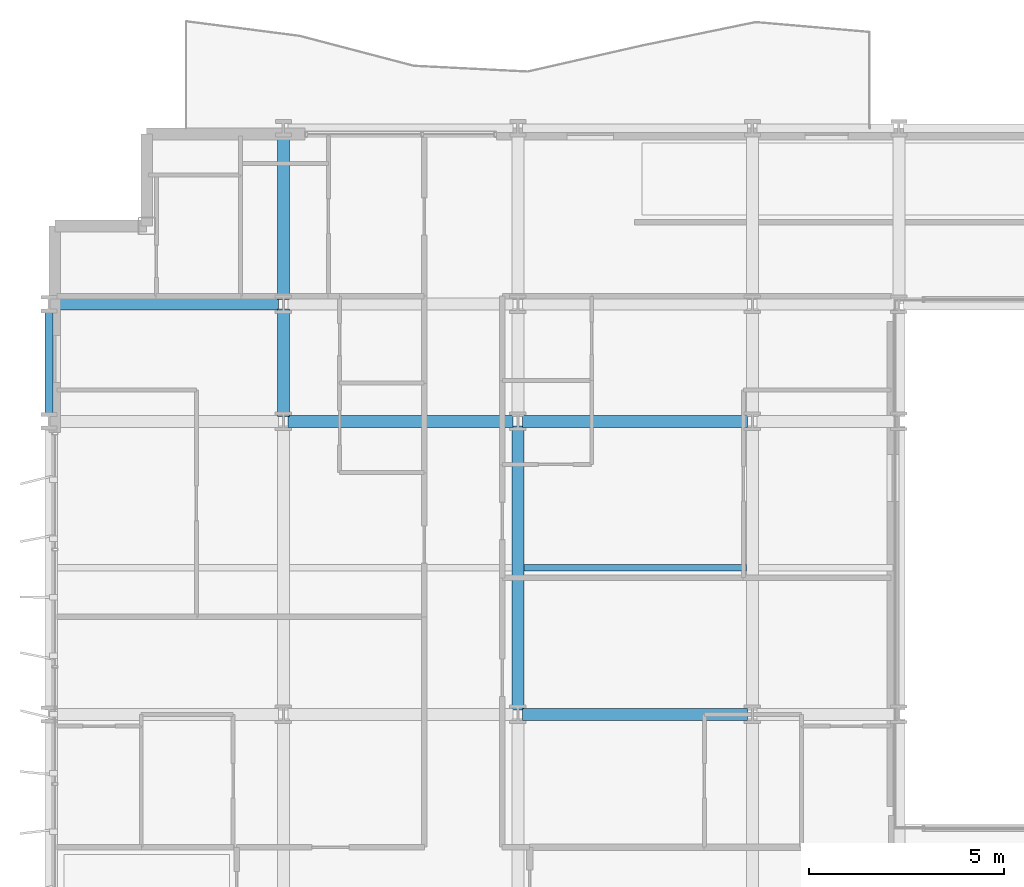
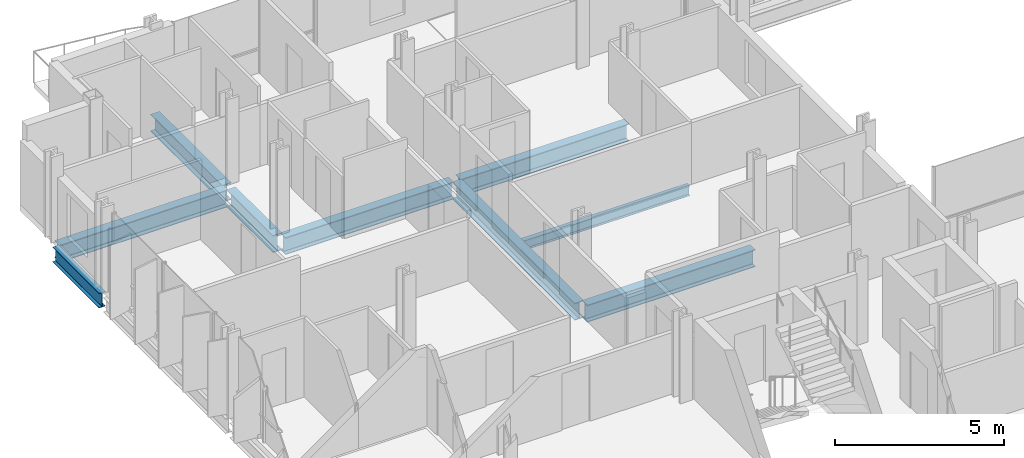
# One storey, part 6 of 38: 9 beams.
"""IFC4 building model written with IfcOpenShell, lengths in metres."""

import ifcopenshell
import ifcopenshell.guid

model = None  # the IFC model being written
_history = None  # IfcOwnerHistory: only IFC2X3 demands one
_inside = {}  # id of a spatial element -> (the spatial element, [elements in it])
_under = {}  # id of a project, library or spatial element -> (it, [spatial elements below it])
_declared = {}  # id of a project -> (the project, [libraries it declares])
_typed = {}  # id of a type object -> (the type object, [elements of that type])
_made_of = {}  # id of a material, layer set ... -> (it, [elements and type objects made of it])


def new_model(schema):
    """Start an empty IFC model of exactly this schema.

    Asked for "IFC4X3", IfcOpenShell would pick the latest addendum, in which some entities
    have other attributes; the version numbers below select the first issue.
    IFC2X3 requires an IfcOwnerHistory on every rooted entity: one is made here for all.
    """
    global model, _history
    if schema == "IFC4X3":
        model = ifcopenshell.file(schema_version=(4, 3, 0, 0))
    else:
        model = ifcopenshell.file(schema=schema)
    _inside.clear()
    _under.clear()
    _declared.clear()
    _typed.clear()
    _made_of.clear()
    _history = None
    if model.schema == "IFC2X3":
        org = make("IfcOrganization", Name="unknown")
        user = make(
            "IfcPersonAndOrganization",
            ThePerson=make("IfcPerson", FamilyName="unknown"),
            TheOrganization=org,
        )
        app = make(
            "IfcApplication",
            ApplicationDeveloper=org,
            Version="unknown",
            ApplicationFullName="unknown",
            ApplicationIdentifier="unknown",
        )
        _history = make(
            "IfcOwnerHistory",
            OwningUser=user,
            OwningApplication=app,
            ChangeAction="ADDED",
            CreationDate=0,
        )
    return model


def make(cls, **values):
    """One entity of the class cls with the attributes given. An attribute that is None is left unset."""
    return model.create_entity(
        cls, **{name: value for name, value in values.items() if value is not None}
    )


def rooted(cls, **values):
    """An entity with a GlobalId (a new one), such as an element, a storey or a relation."""
    return make(cls, GlobalId=ifcopenshell.guid.new(), OwnerHistory=_history, **values)


def si_unit(unit_type, name, prefix=None):
    """IfcSIUnit, for example si_unit("LENGTHUNIT", "METRE", prefix="MILLI")."""
    return make("IfcSIUnit", UnitType=unit_type, Prefix=prefix, Name=name)


def assignment(units):
    """IfcUnitAssignment: the units of a project."""
    return None if units is None else make("IfcUnitAssignment", Units=units)


def point(xyz):
    """IfcCartesianPoint."""
    return None if xyz is None else make("IfcCartesianPoint", Coordinates=xyz)


def direction(xyz):
    """IfcDirection."""
    return None if xyz is None else make("IfcDirection", DirectionRatios=xyz)


def frame(location, z_axis=None, x_axis=None):
    """IfcAxis2Placement3D, a coordinate frame: its origin and axes. An axis left out is left unset."""
    return make(
        "IfcAxis2Placement3D",
        Location=point(location),
        Axis=direction(z_axis),
        RefDirection=direction(x_axis),
    )


def frame_2d(location, x_axis=None):
    """IfcAxis2Placement2D, a coordinate frame in the plane: its origin and x axis."""
    return make(
        "IfcAxis2Placement2D", Location=point(location), RefDirection=direction(x_axis)
    )


def origin():
    """The frame at (0, 0, 0) with its axes left unset."""
    return frame((0.0, 0.0, 0.0))


def origin_2d():
    """The frame at (0, 0) in the plane with its x axis left unset."""
    return frame_2d((0.0, 0.0))


def place(relative_to, where):
    """IfcLocalPlacement: puts the frame where relative to a parent placement (None: the world)."""
    return make(
        "IfcLocalPlacement", PlacementRelTo=relative_to, RelativePlacement=where
    )


def context(
    kind, dimensions, precision=None, world=None, true_north=None, identifier=None
):
    """IfcGeometricRepresentationContext, for example the 3D "Model" context."""
    return make(
        "IfcGeometricRepresentationContext",
        ContextIdentifier=identifier,
        ContextType=kind,
        CoordinateSpaceDimension=dimensions,
        Precision=precision,
        WorldCoordinateSystem=world,
        TrueNorth=true_north,
    )


def subcontext(parent, identifier, kind, view, scale=None):
    """IfcGeometricRepresentationSubContext, for example "Body" below "Model"."""
    return make(
        "IfcGeometricRepresentationSubContext",
        ContextIdentifier=identifier,
        ContextType=kind,
        ParentContext=parent,
        TargetScale=scale,
        TargetView=view,
    )


def project(units=None, contexts=None):
    """IfcProject with its units and contexts."""
    return rooted(
        "IfcProject",
        Name="project",
        RepresentationContexts=contexts,
        UnitsInContext=assignment(units),
    )


def spatial(cls, under=None, at=None, **own):
    """A site, building, storey or space (cls), placed at a placement, below another one or the project."""
    s = rooted(cls, ObjectPlacement=at, **own)
    if under is not None:
        _under.setdefault(under.id(), (under, []))[1].append(s)
    return s


def profile(cls, at=None, kind="AREA", **sizes):
    """A parametric profile (cls). Its sizes go by their IFC names, for example OverallWidth=200.0."""
    return make(cls, ProfileType=kind, Position=at, **sizes)


def i_section(**sizes):
    """IfcIShapeProfileDef."""
    return profile("IfcIShapeProfileDef", **sizes)


def extrude(swept, where, along, depth):
    """IfcExtrudedAreaSolid: the profile swept, set in the frame where, extruded along a direction by depth."""
    return make(
        "IfcExtrudedAreaSolid",
        SweptArea=swept,
        Position=where,
        ExtrudedDirection=direction(along),
        Depth=depth,
    )


def shape(context_of_items, identifier, shape_type, items):
    """IfcShapeRepresentation: the items that make up one representation, for example the "Body"."""
    return make(
        "IfcShapeRepresentation",
        ContextOfItems=context_of_items,
        RepresentationIdentifier=identifier,
        RepresentationType=shape_type,
        Items=items,
    )


def material(Name=None, Category=None):
    """IfcMaterial."""
    return make("IfcMaterial", Name=Name, Category=Category)


def material_profile(
    of_material, cross_section, Name=None, Category=None, Priority=None
):
    """IfcMaterialProfile: a cross section and its material."""
    return make(
        "IfcMaterialProfile",
        Name=Name,
        Material=of_material,
        Profile=cross_section,
        Priority=Priority,
        Category=Category,
    )


def profile_set(profiles, Name=None, composite=None):
    """IfcMaterialProfileSet."""
    return make(
        "IfcMaterialProfileSet",
        Name=Name,
        MaterialProfiles=profiles,
        CompositeProfile=composite,
    )


def made_of(thing, what):
    """Note that an element or type object is made of a material, layer set ...; save() writes the relation."""
    if what is not None:
        _made_of.setdefault(what.id(), (what, []))[1].append(thing)
    return thing


def type_object(cls, material=None, **own):
    """A type object (cls), such as IfcWallType, which elements share."""
    return made_of(rooted(cls, **own), material)


def element(
    cls,
    number,
    at=None,
    inside=None,
    cuts=None,
    type_object=None,
    material=None,
    context=None,
    identifier="Body",
    shape_type=None,
    held_by="IfcProductDefinitionShape",
    body=None,
    shapes=None,
    **own,
):
    """One element of the class cls, such as IfcWall. Its Tag is "e" and its number.

    at: its placement. inside: the storey or other place that contains it. cuts: it is an
    opening in that element (IfcRelVoidsElement). A single representation is given by context,
    identifier, shape_type and body (its items); several are given by shapes. held_by: the class
    of the entity that holds the representations. save() writes the other relations.
    """
    e = rooted(cls, Tag="e%d" % number, ObjectPlacement=at, **own)
    if body is not None:
        shapes = [shape(context, identifier, shape_type, body)]
    if shapes is not None:
        e.Representation = make(held_by, Representations=shapes)
    if inside is not None:
        _inside.setdefault(inside.id(), (inside, []))[1].append(e)
    if cuts is not None:
        rooted(
            "IfcRelVoidsElement", RelatingBuildingElement=cuts, RelatedOpeningElement=e
        )
    if type_object is not None:
        _typed.setdefault(type_object.id(), (type_object, []))[1].append(e)
    return made_of(e, material)


def aggregate(whole, parts):
    """IfcRelAggregates: a whole, such as a stair, and the parts it consists of."""
    return rooted("IfcRelAggregates", RelatingObject=whole, RelatedObjects=parts)


def save(model, path):
    """Write the relations noted so far, then the file.

    IfcRelAggregates (storeys below a building ...), IfcRelContainedInSpatialStructure (elements
    in a storey), IfcRelDefinesByType, IfcRelAssociatesMaterial and IfcRelDeclares: one each for
    every whole, place, type object, material and project.
    """
    for whole, parts in _under.values():
        aggregate(whole, parts)
    for where, things in _inside.values():
        rooted(
            "IfcRelContainedInSpatialStructure",
            RelatedElements=things,
            RelatingStructure=where,
        )
    for kind, things in _typed.values():
        rooted("IfcRelDefinesByType", RelatedObjects=things, RelatingType=kind)
    for what, things in _made_of.values():
        rooted("IfcRelAssociatesMaterial", RelatedObjects=things, RelatingMaterial=what)
    for by, libraries in _declared.values():
        rooted("IfcRelDeclares", RelatingContext=by, RelatedDefinitions=libraries)
    model.write(path)


model = new_model("IFC4")

# Units and contexts
model_context = context("Model", 3, precision=1e-05, world=origin(), true_north=direction((0.0, 1.0)))
body_context = subcontext(model_context, "Body", "Model", "MODEL_VIEW")
ifc_project = project(units=[si_unit("LENGTHUNIT", "METRE"), si_unit("AREAUNIT", "SQUARE_METRE"), si_unit("VOLUMEUNIT", "CUBIC_METRE"), si_unit("PLANEANGLEUNIT", "RADIAN"), si_unit("MASSUNIT", "GRAM", prefix="KILO")], contexts=[model_context])

# Site, building, storey
site_placement = place(None, origin())
site = spatial("IfcSite", under=ifc_project, at=site_placement, CompositionType="ELEMENT")
building_placement = place(site_placement, origin())
building = spatial("IfcBuilding", under=site, at=building_placement, Name="Brevholm Reach", CompositionType="ELEMENT")
storey_placement = place(building_placement, frame((0.0, 0.0, 52.800048828125)))
storey = spatial("IfcBuildingStorey", under=building, at=storey_placement, Name="L14", CompositionType="ELEMENT", Elevation=52.800048828125)

# Beams
ifc_material_1 = material(Name="Structural Steel S355J2", Category="steel")
ifc_material_profile_1 = material_profile(ifc_material_1, i_section(OverallWidth=0.17138671875, OverallDepth=0.35498046875, WebThickness=0.00732421875, FlangeThickness=0.011474609375, FilletRadius=0.01025390625, at=origin_2d()), Name="UKB 356x171x51")
ifc_profile_set_1 = profile_set([ifc_material_profile_1], Name="Structural Steel S355J2")
beam_type_1 = type_object("IfcBeamType", Name="BM-B356", PredefinedType="BEAM", material=ifc_profile_set_1)
beam_1_placement = place(storey_placement, frame((12.153564453125, 19.75, -0.407470703125), z_axis=(1.0, 0.0, 0.0), x_axis=(0.0, 1.0, 0.0)))
element("IfcBeam", 1, at=beam_1_placement, inside=storey, type_object=beam_type_1, Name="L14 Composite Secondary Floor Beam", PredefinedType="BEAM", context=body_context, shape_type="SweptSolid", body=[
    extrude(i_section(OverallWidth=0.17138671875, OverallDepth=0.35498046875, WebThickness=0.00732421875, FlangeThickness=0.011474609375, FilletRadius=0.01025390625, at=origin_2d()), origin(), (0.0, 0.0, 1.0), 5.69287109375),
])
ifc_material_2 = material(Name="Structural Steel S355J2", Category="steel")
ifc_material_profile_2 = material_profile(ifc_material_2, i_section(OverallWidth=0.210693359375, OverallDepth=0.53955078125, WebThickness=0.01171875, FlangeThickness=0.018798828125, FilletRadius=0.0126953125, at=origin_2d()), Name="UKB 533x210x109")
ifc_profile_set_2 = profile_set([ifc_material_profile_2], Name="Structural Steel S355J2")
beam_type_2 = type_object("IfcBeamType", Name="BM-SP539", PredefinedType="SPANDREL", material=ifc_profile_set_2)
beam_2_placement = place(storey_placement, frame((0.0, 23.6201171875, -0.499755859375), z_axis=(0.0, 1.0, 0.0), x_axis=(-1.0, 0.0, 0.0)))
element("IfcBeam", 2, at=beam_2_placement, inside=storey, type_object=beam_type_2, Name="L14 SP-01B Framing Beam", PredefinedType="SPANDREL", context=body_context, shape_type="SweptSolid", body=[
    extrude(i_section(OverallWidth=0.210693359375, OverallDepth=0.53955078125, WebThickness=0.01171875, FlangeThickness=0.018798828125, FilletRadius=0.0126953125, at=origin_2d()), origin(), (0.0, 0.0, 1.0), 2.759765625),
])
ifc_material_3 = material(Name="Structural Steel S355J2", Category="steel")
ifc_material_profile_3 = material_profile(ifc_material_3, i_section(OverallWidth=0.30712890625, OverallDepth=0.6201171875, WebThickness=0.01416015625, FlangeThickness=0.023681640625, FilletRadius=0.0166015625, at=origin_2d()), Name="UKB 610x305x179")
ifc_profile_set_3 = profile_set([ifc_material_profile_3], Name="Structural Steel S355J2")
beam_type_3 = type_object("IfcBeamType", Name="BM-UKB610H", PredefinedType="USERDEFINED", material=ifc_profile_set_3)
for number, where, z_axis, x_axis, name in (
    (3, (12.1201171875, 16.0, -0.5400390625), (1.0, 0.0, 0.0), (0.0, 1.0, 0.0), "L14 G-06 Framing Beam"),
    (4, (6.1201171875, 23.5, -0.5400390625), (1.0, 0.0, 0.0), (0.0, 1.0, 0.0), "L14 G-06 Framing Beam"),
    (5, (12.1201171875, 23.5, -0.5400390625), (1.0, 0.0, 0.0), (0.0, 1.0, 0.0), "L14 G-06 Framing Beam"),
    (6, (0.1201171875, 26.5, -0.5400390625), (1.0, 0.0, 0.0), (0.0, 1.0, 0.0), "L14 G-06 Framing Beam"),
):
    element("IfcBeam", number, at=place(storey_placement, frame(where, z_axis=z_axis, x_axis=x_axis)), inside=storey, type_object=beam_type_3, Name=name, ObjectType="GIRDER", PredefinedType="USERDEFINED", context=body_context, shape_type="SweptSolid", body=[
        extrude(i_section(OverallWidth=0.30712890625, OverallDepth=0.6201171875, WebThickness=0.01416015625, FlangeThickness=0.023681640625, FilletRadius=0.0166015625, at=origin_2d()), origin(), (0.0, 0.0, 1.0), 5.759765625),
    ])
beam_3_placement = place(storey_placement, frame((6.0, 23.6201171875, -0.5400390625), z_axis=(0.0, 1.0, 0.0), x_axis=(-1.0, 0.0, 0.0)))
element("IfcBeam", 7, at=beam_3_placement, inside=storey, type_object=beam_type_3, Name="L14 G-06 Framing Beam", ObjectType="GIRDER", PredefinedType="USERDEFINED", context=body_context, shape_type="SweptSolid", body=[
    extrude(i_section(OverallWidth=0.30712890625, OverallDepth=0.6201171875, WebThickness=0.01416015625, FlangeThickness=0.023681640625, FilletRadius=0.0166015625, at=origin_2d()), origin(), (0.0, 0.0, 1.0), 2.759765625),
])
beam_4_placement = place(storey_placement, frame((6.0, 26.6201171875, -0.5400390625), z_axis=(0.0, 1.0, 0.0), x_axis=(-1.0, 0.0, 0.0)))
element("IfcBeam", 8, at=beam_4_placement, inside=storey, type_object=beam_type_3, Name="L14 G-06 Framing Beam", ObjectType="GIRDER", PredefinedType="USERDEFINED", context=body_context, shape_type="SweptSolid", body=[
    extrude(i_section(OverallWidth=0.30712890625, OverallDepth=0.6201171875, WebThickness=0.01416015625, FlangeThickness=0.023681640625, FilletRadius=0.0166015625, at=origin_2d()), origin(), (0.0, 0.0, 1.0), 4.259765625),
])
beam_5_placement = place(storey_placement, frame((12.0, 16.1201171875, -0.5400390625), z_axis=(0.0, 1.0, 0.0), x_axis=(-1.0, 0.0, 0.0)))
element("IfcBeam", 9, at=beam_5_placement, inside=storey, type_object=beam_type_3, Name="L14 G-06 Framing Beam", ObjectType="GIRDER", PredefinedType="USERDEFINED", context=body_context, shape_type="SweptSolid", body=[
    extrude(i_section(OverallWidth=0.30712890625, OverallDepth=0.6201171875, WebThickness=0.01416015625, FlangeThickness=0.023681640625, FilletRadius=0.0166015625, at=origin_2d()), origin(), (0.0, 0.0, 1.0), 7.259765625),
])

save(model, "model.ifc")
